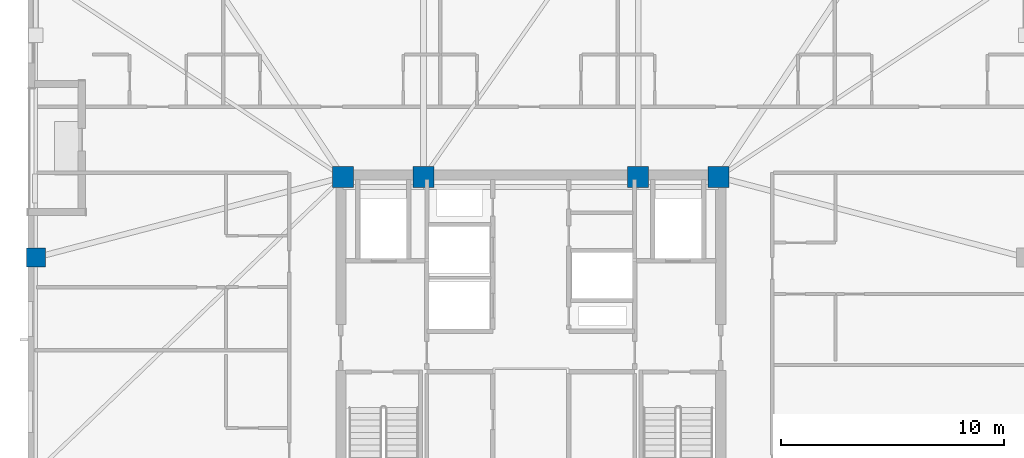
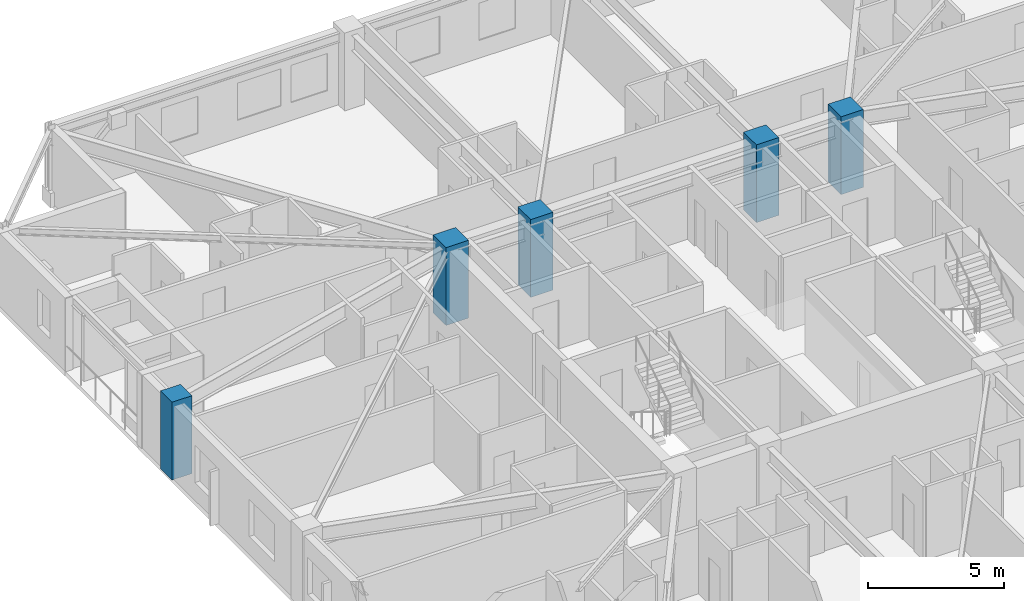
# One storey, part 2 of 17: 5 columns.
"""IFC4 building model written with IfcOpenShell, lengths in metres."""

from ifc_helpers import new_model, si_unit, direction, frame, origin, origin_2d, place, context, subcontext, project, spatial, rectangle, extrude, material, material_profile, profile_set, type_object, element, save


model = new_model("IFC4")

# Units and contexts
model_context = context("Model", 3, precision=1e-05, world=origin(), true_north=direction((0.0, 1.0)))
body_context = subcontext(model_context, "Body", "Model", "MODEL_VIEW")
ifc_project = project(units=[si_unit("LENGTHUNIT", "METRE"), si_unit("AREAUNIT", "SQUARE_METRE"), si_unit("VOLUMEUNIT", "CUBIC_METRE"), si_unit("PLANEANGLEUNIT", "RADIAN"), si_unit("MASSUNIT", "GRAM", prefix="KILO")], contexts=[model_context])

# Site, building, storey
site_placement = place(None, origin())
site = spatial("IfcSite", under=ifc_project, at=site_placement, CompositionType="ELEMENT")
building_placement = place(site_placement, origin())
building = spatial("IfcBuilding", under=site, at=building_placement, Name="Cairnveth Concourse Tower", CompositionType="ELEMENT")
storey_placement = place(building_placement, frame((0.0, 0.0, 234.0)))
storey = spatial("IfcBuildingStorey", under=building, at=storey_placement, Name="L64", CompositionType="ELEMENT", Elevation=234.0)

# Columns
ifc_material = material(Name="Concrete N65 (65 MPa)", Category="concrete")
ifc_material_profile_1 = material_profile(ifc_material, rectangle(XDim=0.949951171875, YDim=0.949951171875, at=origin_2d()), Name="RC-COL-950x950")
ifc_profile_set_1 = profile_set([ifc_material_profile_1], Name="Concrete N65 (65 MPa)")
column_type_1 = type_object("IfcColumnType", Name="CORE COLUMN 950X950", PredefinedType="COLUMN", material=ifc_profile_set_1)
for number, where, z_axis, x_axis, name in (
    (1, (43.60009765625, 47.39990234375, 0.0), (0.0, 0.0, 1.0), (1.0, 0.0, 0.0), "Column CC5 L64"),
    (2, (47.199951171875, 47.39990234375, 0.0), (0.0, 0.0, 1.0), (1.0, 0.0, 0.0), "Column CC6 L64"),
    (3, (56.800048828125, 47.39990234375, 0.0), (0.0, 0.0, 1.0), (1.0, 0.0, 0.0), "Column CC7 L64"),
    (4, (60.39990234375, 47.39990234375, 0.0), (0.0, 0.0, 1.0), (1.0, 0.0, 0.0), "Column CC8 L64"),
):
    element("IfcColumn", number, at=place(storey_placement, frame(where, z_axis=z_axis, x_axis=x_axis)), inside=storey, type_object=column_type_1, Name=name, PredefinedType="COLUMN", context=body_context, shape_type="SweptSolid", body=[
        extrude(rectangle(XDim=0.949951171875, YDim=0.949951171875, at=origin_2d()), origin(), (0.0, 0.0, 1.0), 3.5),
    ])
ifc_material_profile_2 = material_profile(ifc_material, rectangle(XDim=0.85009765625, YDim=0.85009765625, at=origin_2d()), Name="RC-COL-850x850")
ifc_profile_set_2 = profile_set([ifc_material_profile_2], Name="Concrete N65 (65 MPa)")
column_type_2 = type_object("IfcColumnType", Name="PERIMETER PIER COLUMN 850X850", PredefinedType="COLUMN", material=ifc_profile_set_2)
column_placement = place(storey_placement, frame((29.85009765625, 43.800048828125, 0.0), z_axis=(0.0, 0.0, 1.0), x_axis=(0.0, 1.0, 0.0)))
element("IfcColumn", 5, at=column_placement, inside=storey, type_object=column_type_2, Name="Column P-W2 L64", PredefinedType="COLUMN", context=body_context, shape_type="SweptSolid", body=[
    extrude(rectangle(XDim=0.85009765625, YDim=0.85009765625, at=origin_2d()), origin(), (0.0, 0.0, 1.0), 3.5),
])

save(model, "model.ifc")
